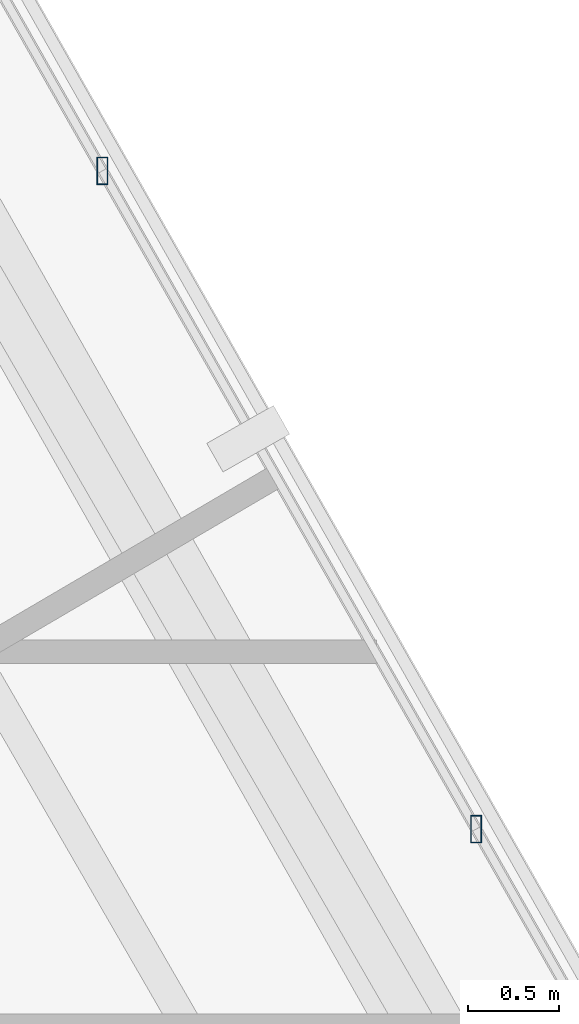
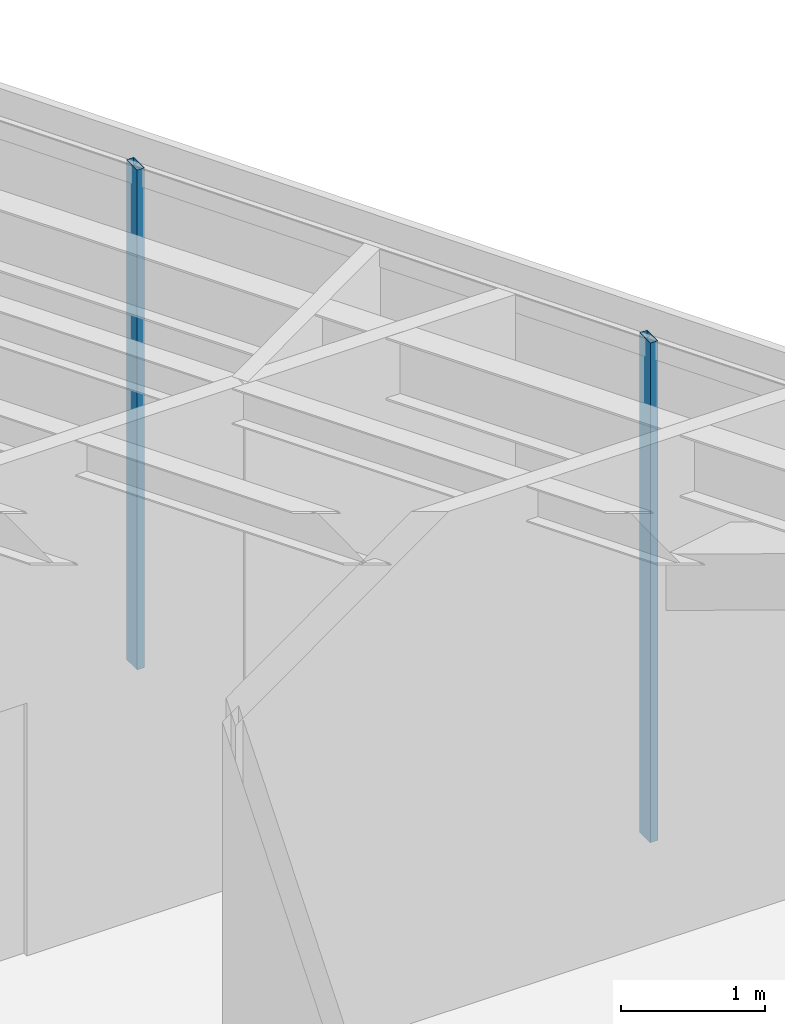
# One storey, part 22 of 37: 2 members, 1 element without a shape of its own.
"""IFC4 building model written with IfcOpenShell, lengths in metres."""

from ifc_helpers import new_model, si_unit, direction, frame, origin, origin_2d, place, context, subcontext, project, spatial, hollow_rectangle, extrude, source, transform, mapped, material, material_profile, profile_set, type_object, type_shapes, element, aggregate, save


model = new_model("IFC4")

# Units and contexts
model_context = context("Model", 3, precision=1e-05, world=origin(), true_north=direction((0.0, 1.0)))
body_context = subcontext(model_context, "Body", "Model", "MODEL_VIEW")
ifc_project = project(units=[si_unit("LENGTHUNIT", "METRE"), si_unit("AREAUNIT", "SQUARE_METRE"), si_unit("VOLUMEUNIT", "CUBIC_METRE"), si_unit("PLANEANGLEUNIT", "RADIAN"), si_unit("MASSUNIT", "GRAM", prefix="KILO")], contexts=[model_context])

# Site, building, storey
site_placement = place(None, origin())
site = spatial("IfcSite", under=ifc_project, at=site_placement, CompositionType="ELEMENT")
building_placement = place(site_placement, origin())
building = spatial("IfcBuilding", under=site, at=building_placement, Name="Caelisora Broadcast Tower", CompositionType="ELEMENT")
storey_placement = place(building_placement, frame((0.0, 0.0, 127.300048828125)))
storey = spatial("IfcBuildingStorey", under=building, at=storey_placement, Name="L33", CompositionType="ELEMENT", Elevation=127.300048828125)

# Curtain wall, members
ifc_material_1 = material(Name="Unitised Aluminium Insulated Shadow-Box Spandrel Curtain Wall", Category="aluminium")
curtain_wall_type = type_object("IfcCurtainWallType", Name="CW-SP2", PredefinedType="NOTDEFINED", material=ifc_material_1)
curtain_wall_placement = place(storey_placement, origin())
curtain_wall = element("IfcCurtainWall", 1, at=curtain_wall_placement, inside=storey, type_object=curtain_wall_type, Name="L33 curtain wall CW-SP2", PredefinedType="NOTDEFINED")
ifc_material_2 = material(Name="Aluminium 6063-T6 Anodised Terracotta Bronze", Category="aluminium")
ifc_material_profile = material_profile(ifc_material_2, hollow_rectangle(XDim=0.06005859375, YDim=0.14990234375, WallThickness=0.00341796875, at=origin_2d()), Name="Aluminium 6063-T6 Anodised Terracotta Bronze")
ifc_profile_set = profile_set([ifc_material_profile], Name="Aluminium 6063-T6 Anodised Terracotta Bronze")
member_type = type_object("IfcMemberType", Name="CWM-03", PredefinedType="MULLION", material=ifc_profile_set)
shared_shape = source(origin(), body_context, "Body", "SweptSolid", [
    extrude(hollow_rectangle(XDim=0.06005859375, YDim=0.14990234375, WallThickness=0.00341796875, at=origin_2d()), origin(), (0.0, 0.0, 1.0), 4.25),
])
type_shapes(member_type, [shared_shape])
member_1_placement = place(storey_placement, frame((52.542236328125, 34.78369140625, 0.0), z_axis=(0.0, 0.0, 1.0), x_axis=(1.0, 0.0, 0.0)))
member_1 = element("IfcMember", 2, at=member_1_placement, type_object=member_type, Name="L33-CW-B02 mullion #1", PredefinedType="MULLION", context=body_context, shape_type="MappedRepresentation", body=[
    mapped(shared_shape, transform((0.0, 0.0, 0.0), scale=1.0)),
])
member_2_placement = place(storey_placement, frame((54.58935546875, 31.177490234375, 0.0), z_axis=(0.0, 0.0, 1.0), x_axis=(1.0, 0.0, 0.0)))
member_2 = element("IfcMember", 3, at=member_2_placement, type_object=member_type, Name="L33-CW-B02 mullion #2", PredefinedType="MULLION", context=body_context, shape_type="MappedRepresentation", body=[
    mapped(shared_shape, transform((0.0, 0.0, 0.0), scale=1.0)),
])
aggregate(curtain_wall, [member_1, member_2])

save(model, "model.ifc")
